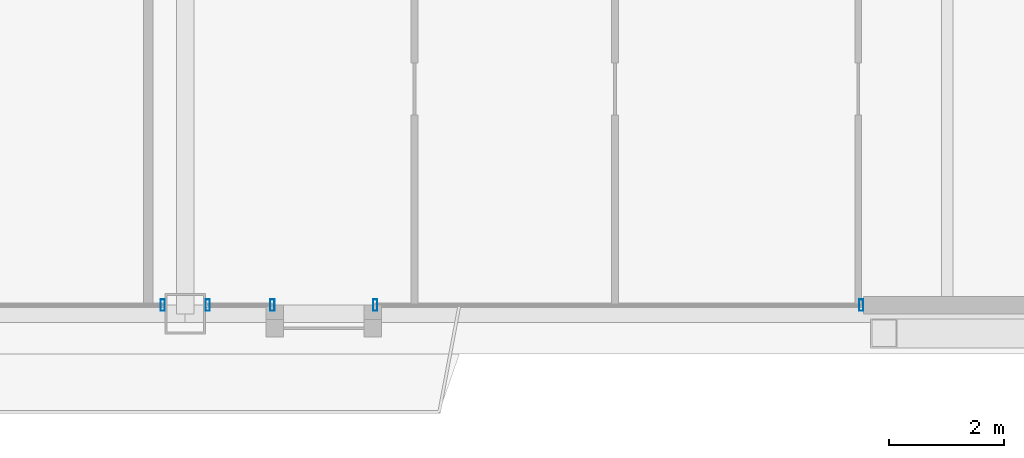
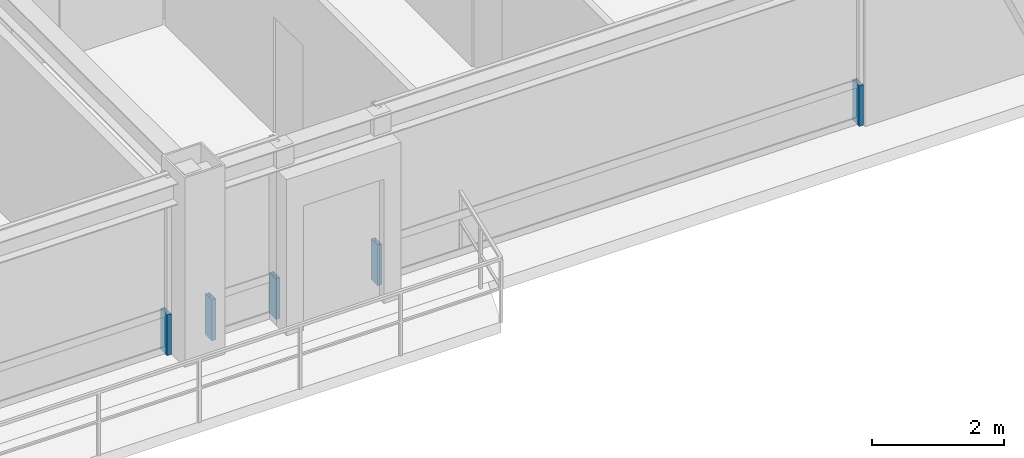
# One storey, part 22 of 35: 5 members, 3 elements without a shape of their own.
"""IFC4 building model written with IfcOpenShell, lengths in metres."""

from ifc_helpers import new_model, si_unit, direction, frame, origin, origin_2d, place, context, subcontext, project, spatial, hollow_rectangle, extrude, source, transform, mapped, material, layer, layer_set, material_profile, profile_set, type_object, element, aggregate, save


model = new_model("IFC4")

# Units and contexts
model_context = context("Model", 3, precision=1e-05, world=origin(), true_north=direction((0.0, 1.0)))
body_context = subcontext(model_context, "Body", "Model", "MODEL_VIEW")
ifc_project = project(units=[si_unit("LENGTHUNIT", "METRE"), si_unit("AREAUNIT", "SQUARE_METRE"), si_unit("VOLUMEUNIT", "CUBIC_METRE"), si_unit("PLANEANGLEUNIT", "RADIAN"), si_unit("MASSUNIT", "GRAM", prefix="KILO"), si_unit("THERMODYNAMICTEMPERATUREUNIT", "KELVIN"), si_unit("POWERUNIT", "WATT")], contexts=[model_context])

# Site, building, storey
site_placement = place(None, origin())
site = spatial("IfcSite", under=ifc_project, at=site_placement, CompositionType="ELEMENT")
building_placement = place(site_placement, origin())
building = spatial("IfcBuilding", under=site, at=building_placement, Name="Yuzanri Waterfront Tower", CompositionType="ELEMENT")
storey_placement = place(building_placement, frame((0.0, 0.0, 299.60009765625)))
storey = spatial("IfcBuildingStorey", under=building, at=storey_placement, Name="L80", CompositionType="ELEMENT", Elevation=299.60009765625)

# Curtain wall, member
ifc_material_1 = material(Name="Anodized Architectural Bronze", Category="metal")
ifc_layer = layer(ifc_material_1, 0.159912109375)
ifc_layer_set = layer_set([ifc_layer], Name="Anodized Architectural Bronze")
curtain_wall_type = type_object("IfcCurtainWallType", Name="Anodized Bronze High-Rise Penthouse High-Wind Unitized Curtain Wall 6900", PredefinedType="NOTDEFINED", material=ifc_layer_set)
curtain_wall_1_placement = place(storey_placement, origin())
curtain_wall_1 = element("IfcCurtainWall", 1, at=curtain_wall_1_placement, inside=storey, type_object=curtain_wall_type, Name="L80 Curtain Wall CW-L80-SL", PredefinedType="NOTDEFINED")
ifc_material_2 = material(Name="Anodized Architectural Bronze", Category="metal")
ifc_material_profile = material_profile(ifc_material_2, hollow_rectangle(XDim=0.074951171875, YDim=0.199951171875, WallThickness=0.00390625, at=origin_2d()), Name="CWM 75x200")
ifc_profile_set = profile_set([ifc_material_profile], Name="Anodized Architectural Bronze")
member_type = type_object("IfcMemberType", Name="Anodized Bronze Primary Curtain-Wall Mullion 75x200", PredefinedType="MULLION", material=ifc_profile_set)
shared_shape = source(origin(), body_context, "Body", "SweptSolid", [
    extrude(hollow_rectangle(XDim=0.074951171875, YDim=0.199951171875, WallThickness=0.00390625, at=origin_2d()), origin(), (0.0, 0.0, 1.0), 0.751953125),
])
member_1_placement = place(storey_placement, frame((36.610107421875, 6.85009765625, 0.0), z_axis=(0.0, 0.0, 1.0), x_axis=(1.0, 0.0, 0.0)))
member_1 = element("IfcMember", 2, at=member_1_placement, type_object=member_type, Name="CW-L80-SL Lower Mullion 02", PredefinedType="MULLION", context=body_context, shape_type="MappedRepresentation", body=[
    mapped(shared_shape, transform((0.0, 0.0, 0.0), scale=1.0)),
])
aggregate(curtain_wall_1, [member_1])

# Curtain wall, members
curtain_wall_2_placement = place(storey_placement, origin())
curtain_wall_2 = element("IfcCurtainWall", 3, at=curtain_wall_2_placement, inside=storey, type_object=curtain_wall_type, Name="L80 Curtain Wall CW-L80-SR1", PredefinedType="NOTDEFINED")
member_2_placement = place(storey_placement, frame((37.389892578125, 6.85009765625, 0.0), z_axis=(0.0, 0.0, 1.0), x_axis=(1.0, 0.0, 0.0)))
member_2 = element("IfcMember", 4, at=member_2_placement, type_object=member_type, Name="CW-L80-SR1 Lower Mullion 00", PredefinedType="MULLION", context=body_context, shape_type="MappedRepresentation", body=[
    mapped(shared_shape, transform((0.0, 0.0, 0.0), scale=1.0)),
])
member_3_placement = place(storey_placement, frame((38.510009765625, 6.85009765625, 0.0), z_axis=(0.0, 0.0, 1.0), x_axis=(1.0, 0.0, 0.0)))
member_3 = element("IfcMember", 5, at=member_3_placement, type_object=member_type, Name="CW-L80-SR1 Lower Mullion 01", PredefinedType="MULLION", context=body_context, shape_type="MappedRepresentation", body=[
    mapped(shared_shape, transform((0.0, 0.0, 0.0), scale=1.0)),
])
aggregate(curtain_wall_2, [member_2, member_3])

curtain_wall_3_placement = place(storey_placement, origin())
curtain_wall_3 = element("IfcCurtainWall", 6, at=curtain_wall_3_placement, inside=storey, type_object=curtain_wall_type, Name="L80 Curtain Wall CW-L80-SR2", PredefinedType="NOTDEFINED")
member_4_placement = place(storey_placement, frame((40.2900390625, 6.85009765625, 0.0), z_axis=(0.0, 0.0, 1.0), x_axis=(1.0, 0.0, 0.0)))
member_4 = element("IfcMember", 7, at=member_4_placement, type_object=member_type, Name="CW-L80-SR2 Lower Mullion 00", PredefinedType="MULLION", context=body_context, shape_type="MappedRepresentation", body=[
    mapped(shared_shape, transform((0.0, 0.0, 0.0), scale=1.0)),
])
member_5_placement = place(storey_placement, frame((48.7099609375, 6.85009765625, 0.0), z_axis=(0.0, 0.0, 1.0), x_axis=(1.0, 0.0, 0.0)))
member_5 = element("IfcMember", 8, at=member_5_placement, type_object=member_type, Name="CW-L80-SR2 Lower Mullion 01", PredefinedType="MULLION", context=body_context, shape_type="MappedRepresentation", body=[
    mapped(shared_shape, transform((0.0, 0.0, 0.0), scale=1.0)),
])
aggregate(curtain_wall_3, [member_4, member_5])

save(model, "model.ifc")
